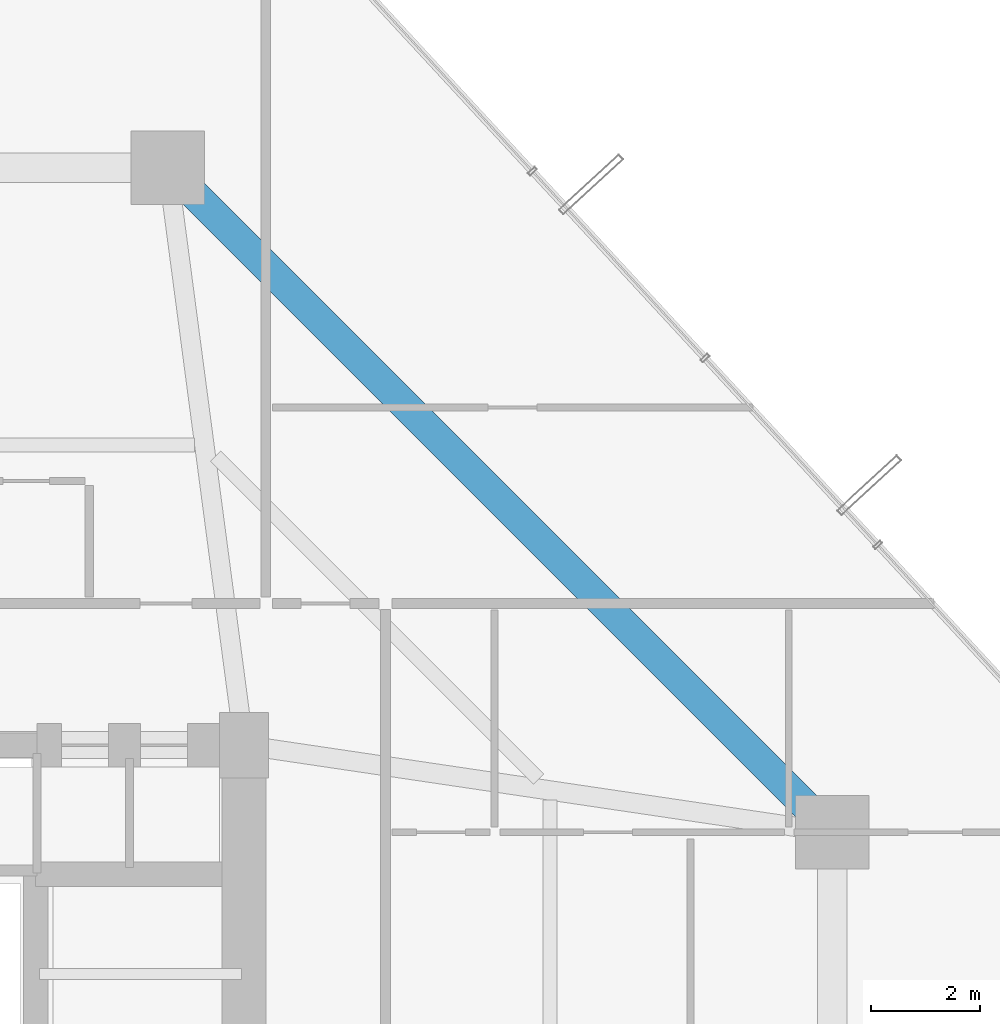
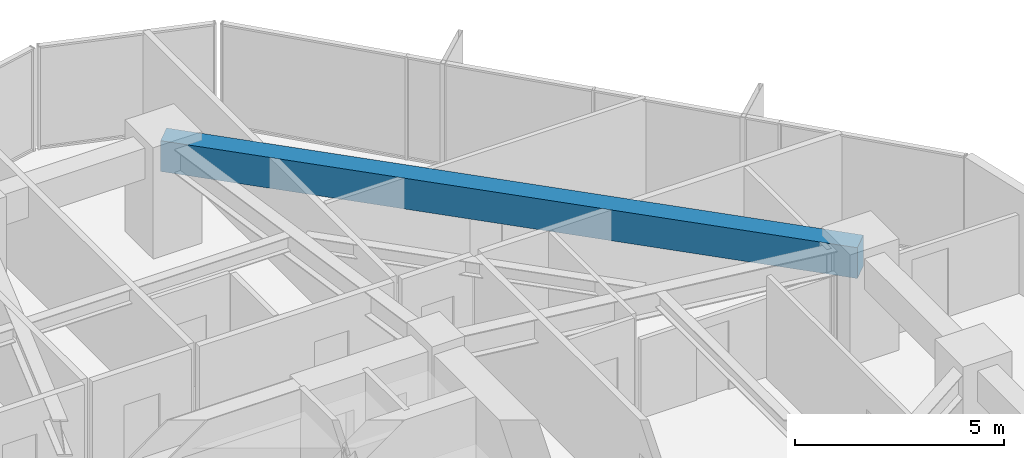
# One storey, part 29 of 39: 1 beam.
"""IFC4 building model written with IfcOpenShell, lengths in metres."""

from ifc_helpers import new_model, si_unit, direction, frame, origin, origin_2d, place, context, subcontext, project, spatial, rectangle, extrude, material, material_profile, profile_set, type_object, element, save


model = new_model("IFC4")

# Units and contexts
model_context = context("Model", 3, precision=1e-05, world=origin(), true_north=direction((0.0, 1.0)))
body_context = subcontext(model_context, "Body", "Model", "MODEL_VIEW")
ifc_project = project(units=[si_unit("LENGTHUNIT", "METRE"), si_unit("AREAUNIT", "SQUARE_METRE"), si_unit("VOLUMEUNIT", "CUBIC_METRE"), si_unit("PLANEANGLEUNIT", "RADIAN"), si_unit("MASSUNIT", "GRAM", prefix="KILO")], contexts=[model_context])

# Site, building, storey
site_placement = place(None, origin())
site = spatial("IfcSite", under=ifc_project, at=site_placement, CompositionType="ELEMENT")
building_placement = place(site_placement, origin())
building = spatial("IfcBuilding", under=site, at=building_placement, Name="Veraguas Prism Commons", CompositionType="ELEMENT")
storey_placement = place(building_placement, frame((0.0, 0.0, 67.35009765625)))
storey = spatial("IfcBuildingStorey", under=building, at=storey_placement, Name="L18", CompositionType="ELEMENT", Elevation=67.35009765625)

# Beam
ifc_material = material(Name="Concrete C50/60", Category="concrete")
ifc_material_profile = material_profile(ifc_material, rectangle(XDim=0.550048828125, YDim=0.89990234375, at=origin_2d()), Name="RC550X900")
ifc_profile_set = profile_set([ifc_material_profile], Name="Concrete C50/60")
beam_type = type_object("IfcBeamType", Name="Perimeter Spandrel Lower RC 550x900", PredefinedType="SPANDREL", material=ifc_profile_set)
beam_placement = place(storey_placement, frame((41.60009765625, 29.39990234375, 2.5498046875), z_axis=(-0.707106781187, 0.707106781187, 0.0), x_axis=(-0.707106781187, -0.707106781187, 0.0)))
element("IfcBeam", 1, at=beam_placement, inside=storey, type_object=beam_type, Name="Perimeter Spandrel Beam L18-SP03", PredefinedType="SPANDREL", context=body_context, shape_type="SweptSolid", body=[
    extrude(rectangle(XDim=0.550048828125, YDim=0.89990234375, at=origin_2d()), origin(), (0.0, 0.0, 1.0), 17.253662109375),
])

save(model, "model.ifc")
